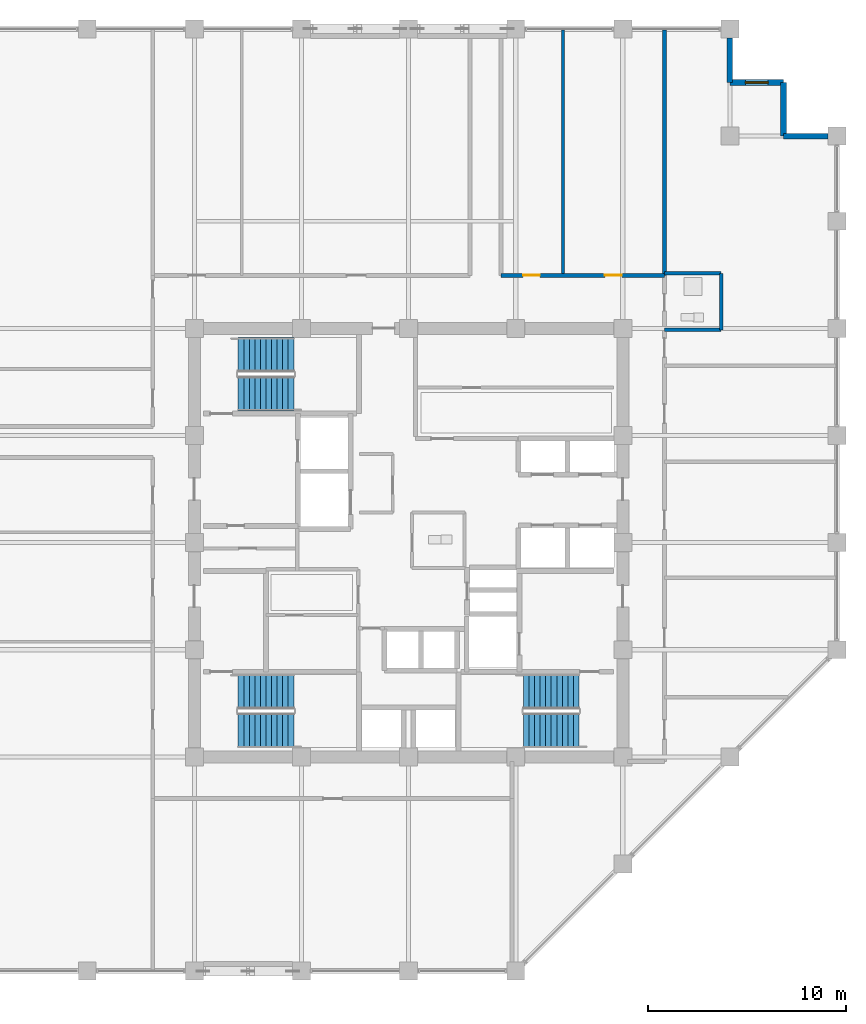
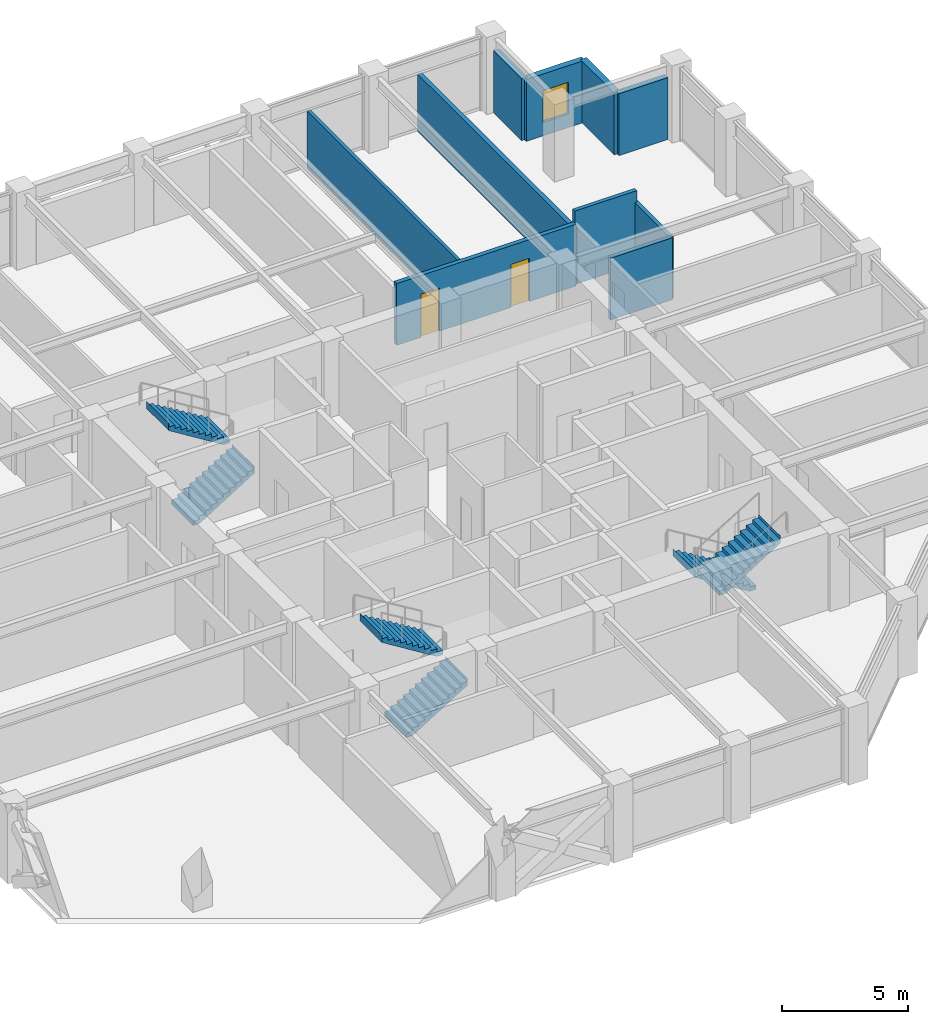
# One storey, part 30 of 32: 10 walls, 6 stair flights, 2 doors, 1 window, 3 openings, 3 elements without a shape of their own.
"""IFC4 building model written with IfcOpenShell, lengths in metres."""

from ifc_helpers import new_model, si_unit, direction, frame, frame_2d, origin, place, context, subcontext, project, spatial, polyline, rectangle, outline, extrude, material, layer, layer_set, type_object, element, fill, aggregate, save


model = new_model("IFC4")

# Units and contexts
model_context = context("Model", 3, precision=1e-05, world=origin(), true_north=direction((0.0, 1.0)))
body_context = subcontext(model_context, "Body", "Model", "MODEL_VIEW")
ifc_project = project(units=[si_unit("LENGTHUNIT", "METRE"), si_unit("AREAUNIT", "SQUARE_METRE"), si_unit("VOLUMEUNIT", "CUBIC_METRE"), si_unit("PLANEANGLEUNIT", "RADIAN"), si_unit("MASSUNIT", "GRAM", prefix="KILO")], contexts=[model_context])

# Site, building, storey
site_placement = place(None, origin())
site = spatial("IfcSite", under=ifc_project, at=site_placement, CompositionType="ELEMENT")
building_placement = place(site_placement, origin())
building = spatial("IfcBuilding", under=site, at=building_placement, Name="Surkhivell Harbour Commons", CompositionType="ELEMENT")
storey_placement = place(building_placement, frame((0.0, 0.0, 201.0)))
storey = spatial("IfcBuildingStorey", under=building, at=storey_placement, Name="L52", CompositionType="ELEMENT", Elevation=201.0)

# Walls
ifc_material_1 = material(Name="Terracotta-clad reinforced concrete C45/55", Category="masonry")
ifc_layer_1 = layer(ifc_material_1, 0.280029296875)
ifc_layer_set_1 = layer_set([ifc_layer_1], Name="Terracotta-clad reinforced concrete C45/55")
wall_type_1 = type_object("IfcWallType", Name="WAL-EXT-TER280", PredefinedType="STANDARD", material=ifc_layer_set_1)
wall_1_placement = place(storey_placement, frame((21.152099609375, 20.5, 0.0), z_axis=(0.0, 0.0, 1.0), x_axis=(-1.0, 0.0, 0.0)))
element("IfcWall", 1, at=wall_1_placement, inside=storey, type_object=wall_type_1, Name="L52 Serrated Corner Facade Wall 03", PredefinedType="STANDARD", context=body_context, shape_type="SweptSolid", body=[
    extrude(rectangle(XDim=2.252197265625, YDim=0.280029296875, at=frame_2d((1.1259765625, 0.0))), origin(), (0.0, 0.0, 1.0), 3.006103515625),
])
wall_2_placement = place(storey_placement, frame((18.89990234375, 20.5, 0.0), z_axis=(0.0, 0.0, 1.0), x_axis=(0.0, 1.0, 0.0)))
element("IfcWall", 2, at=wall_2_placement, inside=storey, type_object=wall_type_1, Name="L52 Serrated Corner Facade Wall 04", PredefinedType="STANDARD", context=body_context, shape_type="SweptSolid", body=[
    extrude(rectangle(XDim=2.699951171875, YDim=0.280029296875, at=frame_2d((1.35009765625, 0.0))), origin(), (0.0, 0.0, 1.0), 3.006103515625),
])

# Wall, opening, window
wall_3_placement = place(storey_placement, frame((18.89990234375, 23.199951171875, 0.0), z_axis=(0.0, 0.0, 1.0), x_axis=(-1.0, 0.0, 0.0)))
wall_3 = element("IfcWall", 3, at=wall_3_placement, inside=storey, type_object=wall_type_1, Name="L52 Serrated Corner Facade Wall 05", PredefinedType="STANDARD", context=body_context, shape_type="SweptSolid", body=[
    extrude(rectangle(XDim=2.699951171875, YDim=0.280029296875, at=frame_2d((1.35009765625, 0.0))), origin(), (0.0, 0.0, 1.0), 3.006103515625),
])
opening_1_placement = place(wall_3_placement, frame((0.77490234375, 0.0, 0.64990234375)))
opening_1 = element("IfcOpeningElement", 4, at=opening_1_placement, cuts=wall_3, Name="Opening WN-10", PredefinedType="OPENING", context=body_context, shape_type="SweptSolid", body=[
    extrude(rectangle(XDim=1.14990234375, YDim=1.550048828125, at=frame_2d((0.574951171875, 0.77490234375))), frame((0.0, 0.14990234375, 0.0), z_axis=(0.0, -1.0, 0.0), x_axis=(1.0, 0.0, 0.0)), (0.0, 0.0, 1.0), 0.300048828125),
])
ifc_material_2 = material(Name="Thermal-break aluminium frame and double low-E glazing", Category="aluminium")
window_type = type_object("IfcWindowType", Name="WIN-SER-1150x1550", PartitioningType="SINGLE_PANEL", PredefinedType="WINDOW", material=ifc_material_2)
window_placement = place(opening_1_placement, origin())
window = element("IfcWindow", 5, at=window_placement, inside=storey, type_object=window_type, Name="L52 Serrated Alcove Window 05", OverallHeight=1.550048828125, OverallWidth=1.14990234375, PartitioningType="SINGLE_PANEL", PredefinedType="WINDOW", context=body_context, shape_type="SweptSolid", body=[
    extrude(rectangle(XDim=1.14990234375, YDim=1.550048828125, at=frame_2d((0.574951171875, 0.77490234375))), frame((0.0, 0.030029296875, 0.0), z_axis=(0.0, -1.0, 0.0), x_axis=(1.0, 0.0, 0.0)), (0.0, 0.0, 1.0), 0.06005859375),
])
fill(opening_1, window)

# Walls
wall_4_placement = place(storey_placement, frame((16.199951171875, 23.199951171875, 0.0), z_axis=(0.0, 0.0, 1.0), x_axis=(0.0, 1.0, 0.0)))
element("IfcWall", 6, at=wall_4_placement, inside=storey, type_object=wall_type_1, Name="L52 Serrated Corner Facade Wall 06", PredefinedType="STANDARD", context=body_context, shape_type="SweptSolid", body=[
    extrude(rectangle(XDim=2.251953125, YDim=0.280029296875, at=frame_2d((1.1259765625, 0.0))), origin(), (0.0, 0.0, 1.0), 3.006103515625),
])
ifc_material_3 = material(Name="Twin-stud acoustic fireboard partition", Category="other")
ifc_layer_2 = layer(ifc_material_3, 0.14990234375)
ifc_layer_set_2 = layer_set([ifc_layer_2], Name="Twin-stud acoustic fireboard partition")
wall_type_2 = type_object("IfcWallType", Name="WAL-INT-150", PredefinedType="PARTITIONING", material=ifc_layer_set_2)
wall_5_placement = place(storey_placement, frame((7.7900390625, 13.47998046875, 0.0), z_axis=(0.0, 0.0, 1.0), x_axis=(0.0, 1.0, 0.0)))
element("IfcWall", 7, at=wall_5_placement, inside=storey, type_object=wall_type_2, Name="L52 North-East Partition P1", PredefinedType="PARTITIONING", context=body_context, shape_type="SweptSolid", body=[
    extrude(rectangle(XDim=12.360107421875, YDim=0.14990234375, at=frame_2d((6.18017578125, 0.0))), origin(), (0.0, 0.0, 1.0), 2.780029296875),
])
ifc_material_4 = material(Name="High-density acoustic blockwork fire partition", Category="masonry")
ifc_layer_3 = layer(ifc_material_4, 0.175048828125)
ifc_layer_set_3 = layer_set([ifc_layer_3], Name="High-density acoustic blockwork fire partition")
wall_type_3 = type_object("IfcWallType", Name="WAL-INT-175", PredefinedType="PARTITIONING", material=ifc_layer_set_3)
wall_6_placement = place(storey_placement, frame((15.75, 10.72998046875, 0.0), z_axis=(0.0, 0.0, 1.0), x_axis=(0.0, 1.0, 0.0)))
element("IfcWall", 8, at=wall_6_placement, inside=storey, type_object=wall_type_3, Name="L52 East Partition BTHB", PredefinedType="PARTITIONING", context=body_context, shape_type="SweptSolid", body=[
    extrude(rectangle(XDim=2.85009765625, YDim=0.175048828125, at=frame_2d((1.425048828125, 0.0))), origin(), (0.0, 0.0, 1.0), 3.006103515625),
])
wall_7_placement = place(storey_placement, frame((12.89990234375, 13.580078125, 0.0), z_axis=(0.0, 0.0, 1.0), x_axis=(1.0, 0.0, 0.0)))
element("IfcWall", 9, at=wall_7_placement, inside=storey, type_object=wall_type_3, Name="L52 East Partition BTHN", PredefinedType="PARTITIONING", context=body_context, shape_type="SweptSolid", body=[
    extrude(rectangle(XDim=2.85009765625, YDim=0.175048828125, at=frame_2d((1.425048828125, 0.0))), origin(), (0.0, 0.0, 1.0), 3.570068359375),
])
wall_8_placement = place(storey_placement, frame((12.89990234375, 10.72998046875, 0.0), z_axis=(0.0, 0.0, 1.0), x_axis=(1.0, 0.0, 0.0)))
element("IfcWall", 10, at=wall_8_placement, inside=storey, type_object=wall_type_3, Name="L52 East Partition BTHS", PredefinedType="PARTITIONING", context=body_context, shape_type="SweptSolid", body=[
    extrude(rectangle(XDim=2.85009765625, YDim=0.175048828125, at=frame_2d((1.425048828125, 0.0))), origin(), (0.0, 0.0, 1.0), 3.006103515625),
])
ifc_material_5 = material(Name="Autoclaved aerated concrete blockwork and fire plaster", Category="masonry")
ifc_layer_4 = layer(ifc_material_5, 0.199951171875)
ifc_layer_set_4 = layer_set([ifc_layer_4], Name="Autoclaved aerated concrete blockwork and fire plaster")
wall_type_4 = type_object("IfcWallType", Name="WAL-INT-200", PredefinedType="PARTITIONING", material=ifc_layer_set_4)
wall_9_placement = place(storey_placement, frame((12.89990234375, 13.47998046875, 0.0), z_axis=(0.0, 0.0, 1.0), x_axis=(0.0, 1.0, 0.0)))
element("IfcWall", 11, at=wall_9_placement, inside=storey, type_object=wall_type_4, Name="L52 North-East Corner Wall", PredefinedType="PARTITIONING", context=body_context, shape_type="SweptSolid", body=[
    extrude(rectangle(XDim=12.360107421875, YDim=0.199951171875, at=frame_2d((6.18017578125, 0.0))), origin(), (0.0, 0.0, 1.0), 2.780029296875),
])

# Wall, openings, doors
wall_10_placement = place(storey_placement, frame((4.64990234375, 13.47998046875, 0.0), z_axis=(0.0, 0.0, 1.0), x_axis=(1.0, 0.0, 0.0)))
wall_10 = element("IfcWall", 12, at=wall_10_placement, inside=storey, type_object=wall_type_4, Name="L52 Corridor North-East Wall", PredefinedType="PARTITIONING", context=body_context, shape_type="SweptSolid", body=[
    extrude(rectangle(XDim=8.25, YDim=0.199951171875, at=frame_2d((4.125, 0.0))), origin(), (0.0, 0.0, 1.0), 3.006103515625),
])
opening_2_placement = place(wall_10_placement, frame((1.1201171875, 0.0, 0.0)))
opening_2 = element("IfcOpeningElement", 13, at=opening_2_placement, cuts=wall_10, Name="Opening ID-6", PredefinedType="OPENING", context=body_context, shape_type="SweptSolid", body=[
    extrude(rectangle(XDim=0.85009765625, YDim=2.10009765625, at=frame_2d((0.425048828125, 1.050048828125))), frame((0.0, 0.10986328125, 0.0), z_axis=(0.0, -1.0, 0.0), x_axis=(1.0, 0.0, 0.0)), (0.0, 0.0, 1.0), 0.219970703125),
])
opening_3_placement = place(wall_10_placement, frame((5.2451171875, 0.0, 0.0)))
opening_3 = element("IfcOpeningElement", 14, at=opening_3_placement, cuts=wall_10, Name="Opening ID-6", PredefinedType="OPENING", context=body_context, shape_type="SweptSolid", body=[
    extrude(rectangle(XDim=0.85009765625, YDim=2.10009765625, at=frame_2d((0.425048828125, 1.050048828125))), frame((0.0, 0.10986328125, 0.0), z_axis=(0.0, -1.0, 0.0), x_axis=(1.0, 0.0, 0.0)), (0.0, 0.0, 1.0), 0.219970703125),
])
ifc_material_6 = material(Name="Hardwood-veneered fire-rated door leaf", Category="wood")
door_type = type_object("IfcDoorType", Name="DOR-FD30-850", OperationType="NOTDEFINED", PredefinedType="DOOR", material=ifc_material_6)
door_1_placement = place(opening_2_placement, origin())
door_1 = element("IfcDoor", 15, at=door_1_placement, inside=storey, type_object=door_type, Name="L52 Harbour Reading Library North-East Door", OperationType="SINGLE_SWING_LEFT", OverallHeight=2.10009765625, OverallWidth=0.85009765625, PredefinedType="DOOR", context=body_context, shape_type="SweptSolid", body=[
    extrude(rectangle(XDim=0.85009765625, YDim=2.10009765625, at=frame_2d((0.425048828125, 1.050048828125))), frame((0.0, 0.02490234375, 0.0), z_axis=(0.0, -1.0, 0.0), x_axis=(1.0, 0.0, 0.0)), (0.0, 0.0, 1.0), 0.050048828125),
])
fill(opening_2, door_1)
door_2_placement = place(opening_3_placement, origin())
door_2 = element("IfcDoor", 16, at=door_2_placement, inside=storey, type_object=door_type, Name="L52 Communal Dining Hall North-East Door", OperationType="SINGLE_SWING_RIGHT", OverallHeight=2.10009765625, OverallWidth=0.85009765625, PredefinedType="DOOR", context=body_context, shape_type="SweptSolid", body=[
    extrude(rectangle(XDim=0.85009765625, YDim=2.10009765625, at=frame_2d((0.425048828125, 1.050048828125))), frame((0.0, 0.02490234375, 0.0), z_axis=(0.0, -1.0, 0.0), x_axis=(1.0, 0.0, 0.0)), (0.0, 0.0, 1.0), 0.050048828125),
])
fill(opening_3, door_2)

# Stair, stair flights
ifc_material_7 = material(Name="Precast concrete C45/55", Category="concrete")
stair_type = type_object("IfcStairType", Name="STR-DL-375", PredefinedType="HALF_TURN_STAIR", material=ifc_material_7)
stair_1_placement = place(storey_placement, origin())
stair_1 = element("IfcStair", 17, at=stair_1_placement, inside=storey, type_object=stair_type, Name="L52 Core Exit Stair ST1", PredefinedType="HALF_TURN_STAIR")
stair_flight_type = type_object("IfcStairFlightType", Name="STF-DL-375", PredefinedType="STRAIGHT", material=ifc_material_7)
stair_flight_1_placement = place(storey_placement, frame((-8.590087890625, 7.514892578125, 0.0), z_axis=(0.0, 0.0, 1.0), x_axis=(1.0, 0.0, 0.0)))
stair_flight_1 = element("IfcStairFlight", 18, at=stair_flight_1_placement, type_object=stair_flight_type, Name="ST1 flight 1", NumberOfRisers=11, NumberOfTreads=10, PredefinedType="STRAIGHT", RiserHeight=0.170454545, TreadLength=0.28, context=body_context, shape_type="SweptSolid", body=[
    extrude(outline(polyline([(-0.0029296875, -0.034912109375), (-0.0029296875, 0.0), (0.0, 0.0), (0.0, 0.17041015625), (0.280029296875, 0.17041015625), (0.280029296875, 0.3408203125), (0.56005859375, 0.3408203125), (0.56005859375, 0.511474609375), (0.840087890625, 0.511474609375), (0.840087890625, 0.681884765625), (1.1201171875, 0.681884765625), (1.1201171875, 0.852294921875), (1.39990234375, 0.852294921875), (1.39990234375, 1.022705078125), (1.679931640625, 1.022705078125), (1.679931640625, 1.193115234375), (1.9599609375, 1.193115234375), (1.9599609375, 1.363525390625), (2.239990234375, 1.363525390625), (2.239990234375, 1.5341796875), (2.52001953125, 1.5341796875), (2.52001953125, 1.70458984375), (2.800048828125, 1.70458984375), (2.800048828125, 1.875), (2.802978515625, 1.875), (2.802978515625, 1.529052734375), (0.288330078125, -0.034912109375), (-0.0029296875, -0.034912109375)])), frame((0.0, 0.875, 0.0), z_axis=(0.0, -1.0, 0.0), x_axis=(1.0, 0.0, 0.0)), (0.0, 0.0, 1.0), 1.75),
])
stair_flight_2_placement = place(storey_placement, frame((-5.7900390625, 9.465087890625, 1.875), z_axis=(0.0, 0.0, 1.0), x_axis=(-1.0, 0.0, 0.0)))
stair_flight_2 = element("IfcStairFlight", 19, at=stair_flight_2_placement, type_object=stair_flight_type, Name="ST1 flight 2", NumberOfRisers=11, NumberOfTreads=10, PredefinedType="STRAIGHT", RiserHeight=0.170454545, TreadLength=0.28, context=body_context, shape_type="SweptSolid", body=[
    extrude(outline(polyline([(-0.0029296875, -0.034912109375), (-0.0029296875, 0.0), (0.0, 0.0), (0.0, 0.17041015625), (0.280029296875, 0.17041015625), (0.280029296875, 0.3408203125), (0.56005859375, 0.3408203125), (0.56005859375, 0.511474609375), (0.840087890625, 0.511474609375), (0.840087890625, 0.681884765625), (1.1201171875, 0.681884765625), (1.1201171875, 0.852294921875), (1.39990234375, 0.852294921875), (1.39990234375, 1.022705078125), (1.679931640625, 1.022705078125), (1.679931640625, 1.193115234375), (1.9599609375, 1.193115234375), (1.9599609375, 1.363525390625), (2.239990234375, 1.363525390625), (2.239990234375, 1.5341796875), (2.52001953125, 1.5341796875), (2.52001953125, 1.70458984375), (2.800048828125, 1.70458984375), (2.800048828125, 1.875), (2.802978515625, 1.875), (2.802978515625, 1.529052734375), (0.288330078125, -0.034912109375), (-0.0029296875, -0.034912109375)])), frame((0.0, 0.875, 0.0), z_axis=(0.0, -1.0, 0.0), x_axis=(1.0, 0.0, 0.0)), (0.0, 0.0, 1.0), 1.75),
])
aggregate(stair_1, [stair_flight_1, stair_flight_2])

stair_2_placement = place(storey_placement, origin())
stair_2 = element("IfcStair", 20, at=stair_2_placement, inside=storey, type_object=stair_type, Name="L52 Core Exit Stair ST2", PredefinedType="HALF_TURN_STAIR")
stair_flight_3_placement = place(storey_placement, frame((8.590087890625, -7.514892578125, 0.0), z_axis=(0.0, 0.0, 1.0), x_axis=(-1.0, 0.0, 0.0)))
stair_flight_3 = element("IfcStairFlight", 21, at=stair_flight_3_placement, type_object=stair_flight_type, Name="ST2 flight 1", NumberOfRisers=11, NumberOfTreads=10, PredefinedType="STRAIGHT", RiserHeight=0.170454545, TreadLength=0.28, context=body_context, shape_type="SweptSolid", body=[
    extrude(outline(polyline([(-0.0029296875, -0.034912109375), (-0.0029296875, 0.0), (0.0, 0.0), (0.0, 0.17041015625), (0.280029296875, 0.17041015625), (0.280029296875, 0.3408203125), (0.56005859375, 0.3408203125), (0.56005859375, 0.511474609375), (0.840087890625, 0.511474609375), (0.840087890625, 0.681884765625), (1.1201171875, 0.681884765625), (1.1201171875, 0.852294921875), (1.39990234375, 0.852294921875), (1.39990234375, 1.022705078125), (1.679931640625, 1.022705078125), (1.679931640625, 1.193115234375), (1.9599609375, 1.193115234375), (1.9599609375, 1.363525390625), (2.239990234375, 1.363525390625), (2.239990234375, 1.5341796875), (2.52001953125, 1.5341796875), (2.52001953125, 1.70458984375), (2.800048828125, 1.70458984375), (2.800048828125, 1.875), (2.802978515625, 1.875), (2.802978515625, 1.529052734375), (0.288330078125, -0.034912109375), (-0.0029296875, -0.034912109375)])), frame((0.0, 0.875, 0.0), z_axis=(0.0, -1.0, 0.0), x_axis=(1.0, 0.0, 0.0)), (0.0, 0.0, 1.0), 1.75),
])
stair_flight_4_placement = place(storey_placement, frame((5.7900390625, -9.465087890625, 1.875), z_axis=(0.0, 0.0, 1.0), x_axis=(1.0, 0.0, 0.0)))
stair_flight_4 = element("IfcStairFlight", 22, at=stair_flight_4_placement, type_object=stair_flight_type, Name="ST2 flight 2", NumberOfRisers=11, NumberOfTreads=10, PredefinedType="STRAIGHT", RiserHeight=0.170454545, TreadLength=0.28, context=body_context, shape_type="SweptSolid", body=[
    extrude(outline(polyline([(-0.0029296875, -0.034912109375), (-0.0029296875, 0.0), (0.0, 0.0), (0.0, 0.17041015625), (0.280029296875, 0.17041015625), (0.280029296875, 0.3408203125), (0.56005859375, 0.3408203125), (0.56005859375, 0.511474609375), (0.840087890625, 0.511474609375), (0.840087890625, 0.681884765625), (1.1201171875, 0.681884765625), (1.1201171875, 0.852294921875), (1.39990234375, 0.852294921875), (1.39990234375, 1.022705078125), (1.679931640625, 1.022705078125), (1.679931640625, 1.193115234375), (1.9599609375, 1.193115234375), (1.9599609375, 1.363525390625), (2.239990234375, 1.363525390625), (2.239990234375, 1.5341796875), (2.52001953125, 1.5341796875), (2.52001953125, 1.70458984375), (2.800048828125, 1.70458984375), (2.800048828125, 1.875), (2.802978515625, 1.875), (2.802978515625, 1.529052734375), (0.288330078125, -0.034912109375), (-0.0029296875, -0.034912109375)])), frame((0.0, 0.875, 0.0), z_axis=(0.0, -1.0, 0.0), x_axis=(1.0, 0.0, 0.0)), (0.0, 0.0, 1.0), 1.75),
])
aggregate(stair_2, [stair_flight_3, stair_flight_4])

stair_3_placement = place(storey_placement, origin())
stair_3 = element("IfcStair", 23, at=stair_3_placement, inside=storey, type_object=stair_type, Name="L52 Core Exit Stair ST3", PredefinedType="HALF_TURN_STAIR")
stair_flight_5_placement = place(storey_placement, frame((-8.590087890625, -9.465087890625, 0.0), z_axis=(0.0, 0.0, 1.0), x_axis=(1.0, 0.0, 0.0)))
stair_flight_5 = element("IfcStairFlight", 24, at=stair_flight_5_placement, type_object=stair_flight_type, Name="ST3 flight 1", NumberOfRisers=11, NumberOfTreads=10, PredefinedType="STRAIGHT", RiserHeight=0.170454545, TreadLength=0.28, context=body_context, shape_type="SweptSolid", body=[
    extrude(outline(polyline([(-0.0029296875, -0.034912109375), (-0.0029296875, 0.0), (0.0, 0.0), (0.0, 0.17041015625), (0.280029296875, 0.17041015625), (0.280029296875, 0.3408203125), (0.56005859375, 0.3408203125), (0.56005859375, 0.511474609375), (0.840087890625, 0.511474609375), (0.840087890625, 0.681884765625), (1.1201171875, 0.681884765625), (1.1201171875, 0.852294921875), (1.39990234375, 0.852294921875), (1.39990234375, 1.022705078125), (1.679931640625, 1.022705078125), (1.679931640625, 1.193115234375), (1.9599609375, 1.193115234375), (1.9599609375, 1.363525390625), (2.239990234375, 1.363525390625), (2.239990234375, 1.5341796875), (2.52001953125, 1.5341796875), (2.52001953125, 1.70458984375), (2.800048828125, 1.70458984375), (2.800048828125, 1.875), (2.802978515625, 1.875), (2.802978515625, 1.529052734375), (0.288330078125, -0.034912109375), (-0.0029296875, -0.034912109375)])), frame((0.0, 0.875, 0.0), z_axis=(0.0, -1.0, 0.0), x_axis=(1.0, 0.0, 0.0)), (0.0, 0.0, 1.0), 1.75),
])
stair_flight_6_placement = place(storey_placement, frame((-5.7900390625, -7.514892578125, 1.875), z_axis=(0.0, 0.0, 1.0), x_axis=(-1.0, 0.0, 0.0)))
stair_flight_6 = element("IfcStairFlight", 25, at=stair_flight_6_placement, type_object=stair_flight_type, Name="ST3 flight 2", NumberOfRisers=11, NumberOfTreads=10, PredefinedType="STRAIGHT", RiserHeight=0.170454545, TreadLength=0.28, context=body_context, shape_type="SweptSolid", body=[
    extrude(outline(polyline([(-0.0029296875, -0.034912109375), (-0.0029296875, 0.0), (0.0, 0.0), (0.0, 0.17041015625), (0.280029296875, 0.17041015625), (0.280029296875, 0.3408203125), (0.56005859375, 0.3408203125), (0.56005859375, 0.511474609375), (0.840087890625, 0.511474609375), (0.840087890625, 0.681884765625), (1.1201171875, 0.681884765625), (1.1201171875, 0.852294921875), (1.39990234375, 0.852294921875), (1.39990234375, 1.022705078125), (1.679931640625, 1.022705078125), (1.679931640625, 1.193115234375), (1.9599609375, 1.193115234375), (1.9599609375, 1.363525390625), (2.239990234375, 1.363525390625), (2.239990234375, 1.5341796875), (2.52001953125, 1.5341796875), (2.52001953125, 1.70458984375), (2.800048828125, 1.70458984375), (2.800048828125, 1.875), (2.802978515625, 1.875), (2.802978515625, 1.529052734375), (0.288330078125, -0.034912109375), (-0.0029296875, -0.034912109375)])), frame((0.0, 0.875, 0.0), z_axis=(0.0, -1.0, 0.0), x_axis=(1.0, 0.0, 0.0)), (0.0, 0.0, 1.0), 1.75),
])
aggregate(stair_3, [stair_flight_5, stair_flight_6])

save(model, "model.ifc")
